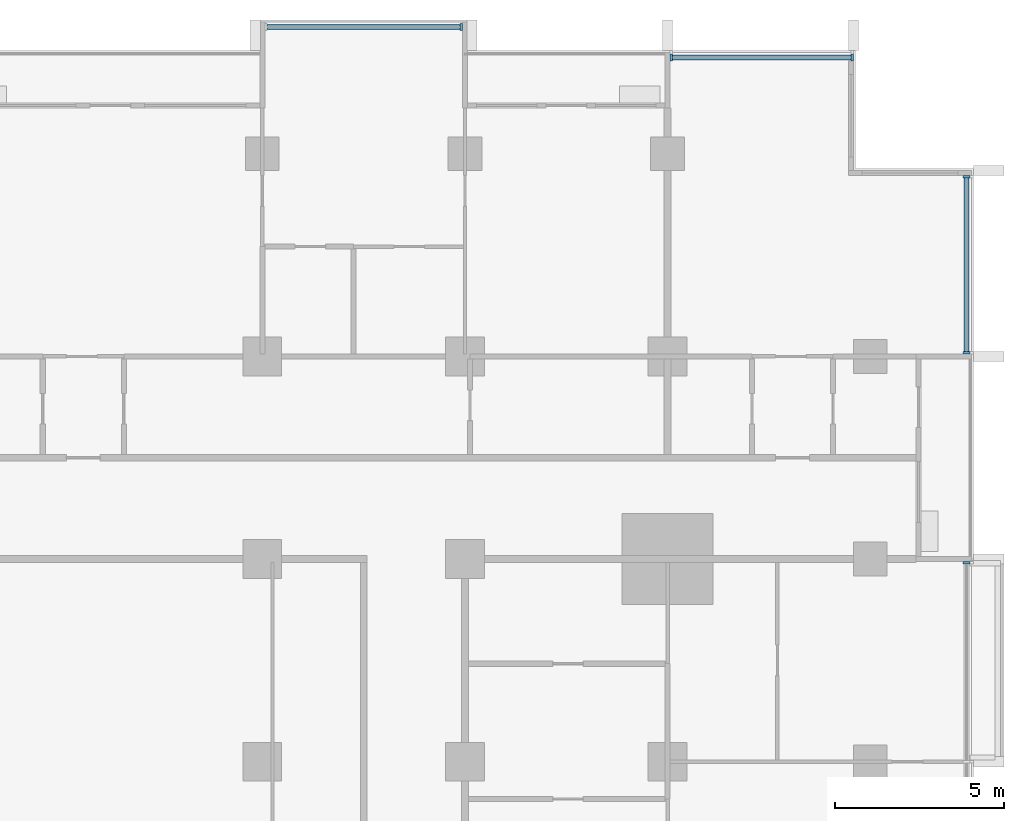
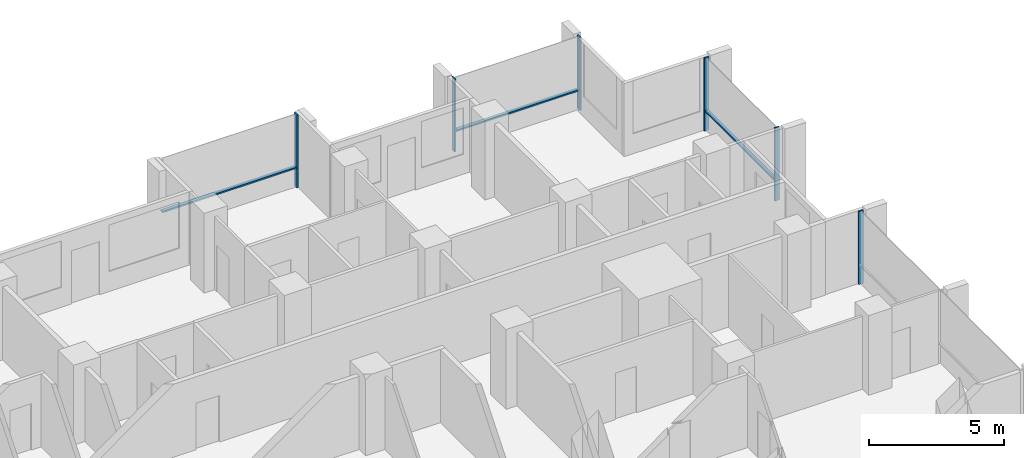
# One storey, part 5 of 19: 9 members, 4 elements without a shape of their own.
"""IFC4 building model written with IfcOpenShell, lengths in metres."""

from ifc_helpers import new_model, si_unit, direction, frame, origin, origin_2d, place, context, subcontext, project, spatial, rectangle, extrude, material, material_profile, profile_set, type_object, element, aggregate, save


model = new_model("IFC4")

# Units and contexts
model_context = context("Model", 3, precision=1e-05, world=origin(), true_north=direction((0.0, 1.0)))
body_context = subcontext(model_context, "Body", "Model", "MODEL_VIEW")
ifc_project = project(units=[si_unit("LENGTHUNIT", "METRE"), si_unit("AREAUNIT", "SQUARE_METRE"), si_unit("VOLUMEUNIT", "CUBIC_METRE"), si_unit("PLANEANGLEUNIT", "RADIAN"), si_unit("MASSUNIT", "GRAM", prefix="KILO")], contexts=[model_context])

# Site, building, storey
site_placement = place(None, origin())
site = spatial("IfcSite", under=ifc_project, at=site_placement, CompositionType="ELEMENT")
building_placement = place(site_placement, origin())
building = spatial("IfcBuilding", under=site, at=building_placement, Name="Finial Court Residences", CompositionType="ELEMENT")
storey_placement = place(building_placement, frame((0.0, 0.0, 88.300048828125)))
storey = spatial("IfcBuildingStorey", under=building, at=storey_placement, Name="L21", CompositionType="ELEMENT", Elevation=88.300048828125)

# Curtain wall, member
ifc_material = material(Name="Bronze anodised aluminium", Category="aluminium")
curtain_wall_type = type_object("IfcCurtainWallType", Name="Unitised curtain wall, lower and middle zones", PredefinedType="NOTDEFINED", material=ifc_material)
curtain_wall_1_placement = place(storey_placement, origin())
curtain_wall_1 = element("IfcCurtainWall", 1, at=curtain_wall_1_placement, inside=storey, type_object=curtain_wall_type, Name="E-L21-CW-N2", PredefinedType="NOTDEFINED")
ifc_material_profile_1 = material_profile(ifc_material, rectangle(XDim=0.199951171875, YDim=0.06494140625, at=origin_2d()), Name="CW1 mullion 65 x 200")
ifc_profile_set_1 = profile_set([ifc_material_profile_1], Name="Bronze anodised aluminium")
member_type_1 = type_object("IfcMemberType", Name="CW1 mullion 65 x 200", PredefinedType="MULLION", material=ifc_profile_set_1)
member_1_placement = place(storey_placement, frame((10.392578125, 23.25, 0.0), z_axis=(0.0, 0.0, 1.0), x_axis=(0.0, 1.0, 0.0)))
member_1 = element("IfcMember", 2, at=member_1_placement, type_object=member_type_1, Name="CW1 mullion 2", PredefinedType="MULLION", context=body_context, shape_type="SweptSolid", body=[
    extrude(rectangle(XDim=0.199951171875, YDim=0.06494140625, at=origin_2d()), origin(), (0.0, 0.0, 1.0), 3.300048828125),
])

# Curtain wall, members
curtain_wall_2_placement = place(storey_placement, origin())
curtain_wall_2 = element("IfcCurtainWall", 3, at=curtain_wall_2_placement, inside=storey, type_object=curtain_wall_type, Name="E-L21-CW-N3", PredefinedType="NOTDEFINED")
member_2_placement = place(storey_placement, frame((16.607421875, 22.35009765625, 0.0), z_axis=(0.0, 0.0, 1.0), x_axis=(0.0, 1.0, 0.0)))
member_2 = element("IfcMember", 4, at=member_2_placement, type_object=member_type_1, Name="CW1 mullion 1", PredefinedType="MULLION", context=body_context, shape_type="SweptSolid", body=[
    extrude(rectangle(XDim=0.199951171875, YDim=0.06494140625, at=origin_2d()), origin(), (0.0, 0.0, 1.0), 3.300048828125),
])
member_3_placement = place(storey_placement, frame((21.967529296875, 22.35009765625, 0.0), z_axis=(0.0, 0.0, 1.0), x_axis=(0.0, 1.0, 0.0)))
member_3 = element("IfcMember", 5, at=member_3_placement, type_object=member_type_1, Name="CW1 mullion 2", PredefinedType="MULLION", context=body_context, shape_type="SweptSolid", body=[
    extrude(rectangle(XDim=0.199951171875, YDim=0.06494140625, at=origin_2d()), origin(), (0.0, 0.0, 1.0), 3.300048828125),
])

# Curtain wall, member
curtain_wall_3_placement = place(storey_placement, origin())
curtain_wall_3 = element("IfcCurtainWall", 6, at=curtain_wall_3_placement, inside=storey, type_object=curtain_wall_type, Name="E-L21-CW-E6", PredefinedType="NOTDEFINED")
member_4_placement = place(storey_placement, frame((25.35009765625, 7.392578125, 0.0), z_axis=(0.0, 0.0, 1.0), x_axis=(-1.0, 0.0, 0.0)))
member_4 = element("IfcMember", 7, at=member_4_placement, type_object=member_type_1, Name="CW1 mullion 3", PredefinedType="MULLION", context=body_context, shape_type="SweptSolid", body=[
    extrude(rectangle(XDim=0.199951171875, YDim=0.06494140625, at=origin_2d()), origin(), (0.0, 0.0, 1.0), 3.300048828125),
])
aggregate(curtain_wall_3, [member_4])

# Curtain wall, members
curtain_wall_4_placement = place(storey_placement, origin())
curtain_wall_4 = element("IfcCurtainWall", 8, at=curtain_wall_4_placement, inside=storey, type_object=curtain_wall_type, Name="E-L21-CW-E7", PredefinedType="NOTDEFINED")
member_5_placement = place(storey_placement, frame((25.35009765625, 13.607421875, 0.0), z_axis=(0.0, 0.0, 1.0), x_axis=(-1.0, 0.0, 0.0)))
member_5 = element("IfcMember", 9, at=member_5_placement, type_object=member_type_1, Name="CW1 mullion 1", PredefinedType="MULLION", context=body_context, shape_type="SweptSolid", body=[
    extrude(rectangle(XDim=0.199951171875, YDim=0.06494140625, at=origin_2d()), origin(), (0.0, 0.0, 1.0), 3.300048828125),
])
member_6_placement = place(storey_placement, frame((25.35009765625, 18.8173828125, 0.0), z_axis=(0.0, 0.0, 1.0), x_axis=(-1.0, 0.0, 0.0)))
member_6 = element("IfcMember", 10, at=member_6_placement, type_object=member_type_1, Name="CW1 mullion 2", PredefinedType="MULLION", context=body_context, shape_type="SweptSolid", body=[
    extrude(rectangle(XDim=0.199951171875, YDim=0.06494140625, at=origin_2d()), origin(), (0.0, 0.0, 1.0), 3.300048828125),
])

# Member
ifc_material_profile_2 = material_profile(ifc_material, rectangle(XDim=0.14990234375, YDim=0.06494140625, at=origin_2d()), Name="CW1 transom 65 x 150")
ifc_profile_set_2 = profile_set([ifc_material_profile_2], Name="Bronze anodised aluminium")
member_type_2 = type_object("IfcMemberType", Name="CW1 transom 65 x 150", PredefinedType="USERDEFINED", material=ifc_profile_set_2)
member_7_placement = place(storey_placement, frame((4.639892578125, 23.25, 0.89990234375), z_axis=(1.0, 0.0, 0.0), x_axis=(0.0, 1.0, 0.0)))
member_7 = element("IfcMember", 11, at=member_7_placement, type_object=member_type_2, Name="CW1 transom 1.1", ObjectType="TRANSOM", PredefinedType="USERDEFINED", context=body_context, shape_type="SweptSolid", body=[
    extrude(rectangle(XDim=0.14990234375, YDim=0.06494140625, at=origin_2d()), origin(), (0.0, 0.0, 1.0), 5.72021484375),
])

aggregate(curtain_wall_1, [member_1, member_7])

member_8_placement = place(storey_placement, frame((16.639892578125, 22.35009765625, 0.89990234375), z_axis=(1.0, 0.0, 0.0), x_axis=(0.0, 1.0, 0.0)))
member_8 = element("IfcMember", 12, at=member_8_placement, type_object=member_type_2, Name="CW1 transom 1.1", ObjectType="TRANSOM", PredefinedType="USERDEFINED", context=body_context, shape_type="SweptSolid", body=[
    extrude(rectangle(XDim=0.14990234375, YDim=0.06494140625, at=origin_2d()), origin(), (0.0, 0.0, 1.0), 5.295166015625),
])

aggregate(curtain_wall_2, [member_2, member_3, member_8])

member_9_placement = place(storey_placement, frame((25.35009765625, 13.639892578125, 0.89990234375), z_axis=(0.0, 1.0, 0.0), x_axis=(-1.0, 0.0, 0.0)))
member_9 = element("IfcMember", 13, at=member_9_placement, type_object=member_type_2, Name="CW1 transom 1.1", ObjectType="TRANSOM", PredefinedType="USERDEFINED", context=body_context, shape_type="SweptSolid", body=[
    extrude(rectangle(XDim=0.14990234375, YDim=0.06494140625, at=origin_2d()), origin(), (0.0, 0.0, 1.0), 5.14501953125),
])

aggregate(curtain_wall_4, [member_5, member_6, member_9])

save(model, "model.ifc")
